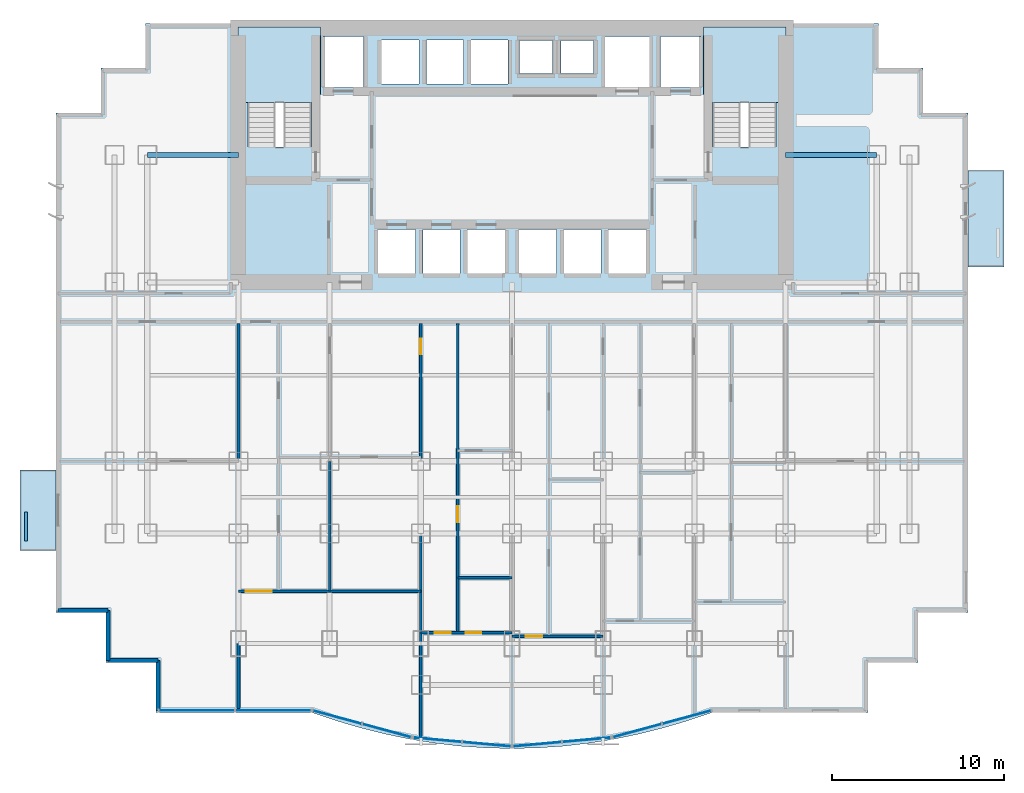
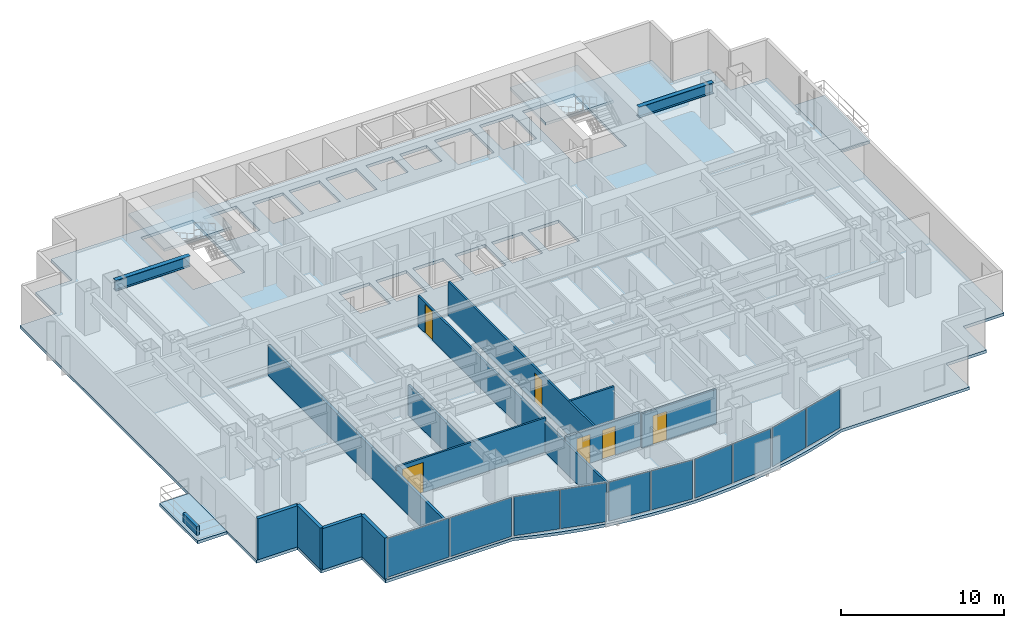
# One storey, part 4 of 10: 13 walls, 10 plates, 6 doors, 5 slabs, 2 beams, 6 openings, 7 elements without a shape of their own.
"""IFC4 building model written with IfcOpenShell, lengths in metres."""

from ifc_helpers import new_model, si_unit, direction, frame, frame_2d, origin, origin_2d, place, context, subcontext, project, spatial, polyline, rectangle, i_section, outline, extrude, source, transform, mapped, material, layer, layer_set, material_profile, profile_set, type_object, element, fill, aggregate, save


model = new_model("IFC4")

# Units and contexts
model_context = context("Model", 3, precision=1e-05, world=origin(), true_north=direction((0.0, 1.0)))
body_context = subcontext(model_context, "Body", "Model", "MODEL_VIEW")
ifc_project = project(units=[si_unit("LENGTHUNIT", "METRE"), si_unit("AREAUNIT", "SQUARE_METRE"), si_unit("VOLUMEUNIT", "CUBIC_METRE"), si_unit("PLANEANGLEUNIT", "RADIAN"), si_unit("MASSUNIT", "GRAM", prefix="KILO")], contexts=[model_context])

# Site, building, storey
site_placement = place(None, origin())
site = spatial("IfcSite", under=ifc_project, at=site_placement, CompositionType="ELEMENT")
building_placement = place(site_placement, origin())
building = spatial("IfcBuilding", under=site, at=building_placement, Name="Qianlan Lanfeng Residences", CompositionType="ELEMENT")
storey_placement = place(building_placement, frame((0.0, 0.0, 60.5)))
storey = spatial("IfcBuildingStorey", under=building, at=storey_placement, Name="L16", CompositionType="ELEMENT", Elevation=60.5)

# Beams
ifc_material_1 = material(Name="Steel SN490B", Category="steel")
ifc_material_profile = material_profile(ifc_material_1, i_section(OverallWidth=0.300048828125, OverallDepth=0.800048828125, WebThickness=0.01611328125, FlangeThickness=0.028076171875, at=origin_2d()), Name="H 800x300x16x28")
ifc_profile_set = profile_set([ifc_material_profile], Name="Steel SN490B")
beam_type = type_object("IfcBeamType", Name="G-950", PredefinedType="BEAM", material=ifc_profile_set)
for number, where, z_axis, x_axis, name in (
    (1, (5.300048828125, 32.60009765625, 2.679931640625), (1.0, 0.0, 0.0), (0.0, 1.0, 0.0), "Structural beam G-950"),
    (2, (42.39990234375, 32.60009765625, 2.679931640625), (1.0, 0.0, 0.0), (0.0, 1.0, 0.0), "Structural beam G-950"),
):
    element("IfcBeam", number, at=place(storey_placement, frame(where, z_axis=z_axis, x_axis=x_axis)), inside=storey, type_object=beam_type, Name=name, PredefinedType="BEAM", context=body_context, shape_type="SweptSolid", body=[
        extrude(i_section(OverallWidth=0.300048828125, OverallDepth=0.800048828125, WebThickness=0.01611328125, FlangeThickness=0.028076171875, at=origin_2d()), origin(), (0.0, 0.0, 1.0), 5.300048828125),
    ])

# Slabs
ifc_material_2 = material(Name="Concrete C42", Category="concrete")
ifc_layer_1 = layer(ifc_material_2, 0.219970703125)
ifc_layer_set_1 = layer_set([ifc_layer_1], Name="Concrete C42")
slab_type_1 = type_object("IfcSlabType", Name="S-BAL-220", PredefinedType="FLOOR", material=ifc_layer_set_1)
slab_1_placement = place(storey_placement, frame((0.0, 0.0, -0.219970703125)))
element("IfcSlab", 3, at=slab_1_placement, inside=storey, type_object=slab_type_1, Name="L16 Planted Tree Balcony Slab WB-S", PredefinedType="FLOOR", context=body_context, shape_type="SweptSolid", body=[
    extrude(outline(polyline([(0.0, 9.60009765625), (0.0, 14.300048828125), (-2.10009765625, 14.300048828125), (-2.10009765625, 9.60009765625), (0.0, 9.60009765625)])), origin(), (0.0, 0.0, 1.0), 0.219970703125),
])
slab_2_placement = place(storey_placement, frame((0.0, 0.0, -0.219970703125)))
element("IfcSlab", 4, at=slab_2_placement, inside=storey, type_object=slab_type_1, Name="L16 Planted Tree Balcony Slab EB-N", PredefinedType="FLOOR", context=body_context, shape_type="SweptSolid", body=[
    extrude(outline(polyline([(53.0, 31.699951171875), (53.0, 26.10009765625), (55.10009765625, 26.10009765625), (55.10009765625, 31.699951171875), (53.0, 31.699951171875)])), origin(), (0.0, 0.0, 1.0), 0.219970703125),
])
ifc_layer_2 = layer(ifc_material_2, 0.219970703125)
ifc_layer_set_2 = layer_set([ifc_layer_2], Name="Concrete C42")
slab_type_2 = type_object("IfcSlabType", Name="S-FL-220", PredefinedType="FLOOR", material=ifc_layer_set_2)
slab_3_placement = place(storey_placement, frame((0.0, 0.0, -0.219970703125)))
element("IfcSlab", 5, at=slab_3_placement, inside=storey, type_object=slab_type_2, Name="L16 Structural Floor Slab", PredefinedType="FLOOR", context=body_context, shape_type="SweptSolid", body=[
    extrude(outline(polyline([(0.0, 6.0), (2.89990234375, 6.0), (2.89990234375, 3.10009765625), (5.800048828125, 3.10009765625), (5.800048828125, 0.199951171875), (14.85009765625, 0.199951171875), (16.305908203125, -0.2919921875), (17.761962890625, -0.718994140625), (19.218994140625, -1.080078125), (20.675048828125, -1.375), (22.131103515625, -1.60498046875), (23.5869140625, -1.76904296875), (25.0439453125, -1.866943359375), (26.5, -1.89990234375), (27.9560546875, -1.866943359375), (29.412109375, -1.76904296875), (30.868896484375, -1.60498046875), (32.324951171875, -1.375), (33.781005859375, -1.080078125), (35.237060546875, -0.718994140625), (36.694091796875, -0.2919921875), (38.14990234375, 0.199951171875), (47.199951171875, 0.199951171875), (47.199951171875, 3.10009765625), (50.10009765625, 3.10009765625), (50.10009765625, 6.0), (53.0, 6.0), (53.0, 35.050048828125), (50.39990234375, 35.050048828125), (50.39990234375, 37.64990234375), (47.800048828125, 37.64990234375), (47.800048828125, 40.25), (5.199951171875, 40.25), (5.199951171875, 37.64990234375), (2.60009765625, 37.64990234375), (2.60009765625, 35.050048828125), (0.0, 35.050048828125), (0.0, 6.0)]), holes=[polyline([(11.139892578125, 33.080078125), (11.139892578125, 39.5), (14.820068359375, 39.5), (14.820068359375, 33.080078125), (11.139892578125, 33.080078125)]), polyline([(38.179931640625, 33.080078125), (38.179931640625, 39.5), (41.860107421875, 39.5), (41.860107421875, 33.080078125), (38.179931640625, 33.080078125)]), polyline([(15.52001953125, 36.52001953125), (15.52001953125, 39.47998046875), (17.8798828125, 39.47998046875), (17.8798828125, 36.52001953125), (15.52001953125, 36.52001953125)]), polyline([(35.1201171875, 36.52001953125), (35.1201171875, 39.47998046875), (37.47998046875, 39.47998046875), (37.47998046875, 36.52001953125), (35.1201171875, 36.52001953125)]), polyline([(31.919921875, 36.52001953125), (31.919921875, 39.47998046875), (34.47998046875, 39.47998046875), (34.47998046875, 36.52001953125), (31.919921875, 36.52001953125)]), polyline([(18.719970703125, 25.719970703125), (18.719970703125, 28.280029296875), (20.8798828125, 28.280029296875), (20.8798828125, 25.719970703125), (18.719970703125, 25.719970703125)]), polyline([(21.320068359375, 25.719970703125), (21.320068359375, 28.280029296875), (23.47998046875, 28.280029296875), (23.47998046875, 25.719970703125), (21.320068359375, 25.719970703125)]), polyline([(23.919921875, 25.719970703125), (23.919921875, 28.280029296875), (26.080078125, 28.280029296875), (26.080078125, 25.719970703125), (23.919921875, 25.719970703125)]), polyline([(26.919921875, 25.719970703125), (26.919921875, 28.280029296875), (29.080078125, 28.280029296875), (29.080078125, 25.719970703125), (26.919921875, 25.719970703125)]), polyline([(29.52001953125, 25.719970703125), (29.52001953125, 28.280029296875), (31.679931640625, 28.280029296875), (31.679931640625, 25.719970703125), (29.52001953125, 25.719970703125)]), polyline([(32.1201171875, 25.719970703125), (32.1201171875, 28.280029296875), (34.280029296875, 28.280029296875), (34.280029296875, 25.719970703125), (32.1201171875, 25.719970703125)]), polyline([(18.919921875, 36.719970703125), (18.919921875, 39.280029296875), (21.080078125, 39.280029296875), (21.080078125, 36.719970703125), (18.919921875, 36.719970703125)]), polyline([(21.52001953125, 36.719970703125), (21.52001953125, 39.280029296875), (23.679931640625, 39.280029296875), (23.679931640625, 36.719970703125), (21.52001953125, 36.719970703125)]), polyline([(24.1201171875, 36.719970703125), (24.1201171875, 39.280029296875), (26.280029296875, 39.280029296875), (26.280029296875, 36.719970703125), (24.1201171875, 36.719970703125)]), polyline([(26.949951171875, 37.35009765625), (26.949951171875, 39.25), (28.85009765625, 39.25), (28.85009765625, 37.35009765625), (26.949951171875, 37.35009765625)]), polyline([(29.35009765625, 37.35009765625), (29.35009765625, 39.25), (31.25, 39.25), (31.25, 37.35009765625), (29.35009765625, 37.35009765625)])]), origin(), (0.0, 0.0, 1.0), 0.219970703125),
])

# Stair, slab
stair_type = type_object("IfcStairType", Name="STR-MAIN", PredefinedType="HALF_TURN_STAIR", material=ifc_material_2)
stair_1_placement = place(storey_placement, origin())
stair_1 = element("IfcStair", 6, at=stair_1_placement, inside=storey, type_object=stair_type, Name="L16 Exit Stair ST-1", PredefinedType="HALF_TURN_STAIR")
ifc_layer_3 = layer(ifc_material_2, 0.179931640625)
ifc_layer_set_3 = layer_set([ifc_layer_3], Name="Concrete C42")
slab_type_3 = type_object("IfcSlabType", Name="S-LND-180", PredefinedType="LANDING", material=ifc_layer_set_3)
slab_4_placement = place(storey_placement, frame((0.0, 0.0, 1.449951171875)))
slab_4 = element("IfcSlab", 7, at=slab_4_placement, type_object=slab_type_3, Name="ST-1 landing 1", PredefinedType="LANDING", context=body_context, shape_type="SweptSolid", body=[
    extrude(outline(polyline([(10.580078125, 35.659912109375), (15.3798828125, 35.659912109375), (15.3798828125, 40.050048828125), (10.580078125, 40.050048828125), (10.580078125, 35.659912109375)])), origin(), (0.0, 0.0, 1.0), 0.199951171875),
])
aggregate(stair_1, [slab_4])

stair_2_placement = place(storey_placement, origin())
stair_2 = element("IfcStair", 8, at=stair_2_placement, inside=storey, type_object=stair_type, Name="L16 Exit Stair ST-2", PredefinedType="HALF_TURN_STAIR")
slab_5_placement = place(storey_placement, frame((0.0, 0.0, 1.449951171875)))
slab_5 = element("IfcSlab", 9, at=slab_5_placement, type_object=slab_type_3, Name="ST-2 landing 1", PredefinedType="LANDING", context=body_context, shape_type="SweptSolid", body=[
    extrude(outline(polyline([(37.6201171875, 35.659912109375), (42.419921875, 35.659912109375), (42.419921875, 40.050048828125), (37.6201171875, 40.050048828125), (37.6201171875, 35.659912109375)])), origin(), (0.0, 0.0, 1.0), 0.199951171875),
])
aggregate(stair_2, [slab_5])

# Curtain wall, plate
ifc_material_3 = material(Name="Anodised Bronze Aluminium 6063-T6", Category="aluminium")
ifc_layer_4 = layer(ifc_material_3, 0.219970703125)
ifc_layer_set_4 = layer_set([ifc_layer_4], Name="Anodised Bronze Aluminium 6063-T6")
curtain_wall_type = type_object("IfcCurtainWallType", Name="CW-02", PredefinedType="NOTDEFINED", material=ifc_layer_set_4)
curtain_wall_1_placement = place(storey_placement, origin())
curtain_wall_1 = element("IfcCurtainWall", 10, at=curtain_wall_1_placement, inside=storey, type_object=curtain_wall_type, Name="L16 Unitised Curtain Wall CWR-L16-02 (CW-02)", PredefinedType="NOTDEFINED")
ifc_material_4 = material(Name="Dark Bronze Tinted Insulated Glass", Category="glass")
ifc_layer_5 = layer(ifc_material_4, 0.0380859375)
ifc_layer_set_5 = layer_set([ifc_layer_5], Name="Dark Bronze Tinted Insulated Glass")
plate_type_1 = type_object("IfcPlateType", Name="PNL-GLZ-BRZ", PredefinedType="CURTAIN_PANEL", material=ifc_layer_set_5)
shared_shape_1 = source(origin(), body_context, "Body", "SweptSolid", [
    extrude(rectangle(XDim=2.89990234375, YDim=0.0380859375, at=origin_2d()), origin(), (0.0, 0.0, 1.0), 2.922119140625),
])
plate_1_placement = place(storey_placement, frame((16.345703125, -0.07958984375, 0.0791015625), z_axis=(0.0, 0.0, 1.0), x_axis=(0.9652627173, -0.261281240412, 0.0)))
plate_1 = element("IfcPlate", 11, at=plate_1_placement, type_object=plate_type_1, Name="CWR-L16-02 Curtain Panel 1", PredefinedType="CURTAIN_PANEL", context=body_context, shape_type="MappedRepresentation", body=[
    mapped(shared_shape_1, transform((0.0, 0.0, 0.0), scale=1.0)),
])

# Curtain wall, plates
curtain_wall_2_placement = place(storey_placement, origin())
curtain_wall_2 = element("IfcCurtainWall", 12, at=curtain_wall_2_placement, inside=storey, type_object=curtain_wall_type, Name="L16 Unitised Curtain Wall CWR-L16-05 (CW-02)", PredefinedType="NOTDEFINED")
plate_2_placement = place(storey_placement, frame((33.77978515625, -0.857421875, 0.0791015625), z_axis=(0.0, 0.0, 1.0), x_axis=(0.9652627173, 0.261281240412, 0.0)))
plate_2 = element("IfcPlate", 13, at=plate_2_placement, type_object=plate_type_1, Name="CWR-L16-05 Curtain Panel 1", PredefinedType="CURTAIN_PANEL", context=body_context, shape_type="MappedRepresentation", body=[
    mapped(shared_shape_1, transform((0.0, 0.0, 0.0), scale=1.0)),
])
plate_3_placement = place(storey_placement, frame((36.654296875, -0.07958984375, 0.0791015625), z_axis=(0.0, 0.0, 1.0), x_axis=(0.9652627173, 0.261281240412, 0.0)))
plate_3 = element("IfcPlate", 14, at=plate_3_placement, type_object=plate_type_1, Name="CWR-L16-05 Curtain Panel 2", PredefinedType="CURTAIN_PANEL", context=body_context, shape_type="MappedRepresentation", body=[
    mapped(shared_shape_1, transform((0.0, 0.0, 0.0), scale=1.0)),
])
aggregate(curtain_wall_2, [plate_2, plate_3])

# Curtain wall, plate
curtain_wall_3_placement = place(storey_placement, origin())
curtain_wall_3 = element("IfcCurtainWall", 15, at=curtain_wall_3_placement, inside=storey, type_object=curtain_wall_type, Name="L16 Unitised Curtain Wall CWR-L16-03 (CW-02)", PredefinedType="NOTDEFINED")
shared_shape_2 = source(origin(), body_context, "Body", "SweptSolid", [
    extrude(rectangle(XDim=2.7958984375, YDim=0.0380859375, at=origin_2d()), origin(), (0.0, 0.0, 1.0), 2.922119140625),
])
plate_4_placement = place(storey_placement, frame((22.1669921875, -1.389404296875, 0.0791015625), z_axis=(0.0, 0.0, 1.0), x_axis=(0.995964677764, -0.089746089862, 0.0)))
plate_4 = element("IfcPlate", 16, at=plate_4_placement, type_object=plate_type_1, Name="CWR-L16-03 Curtain Panel 1", PredefinedType="CURTAIN_PANEL", context=body_context, shape_type="MappedRepresentation", body=[
    mapped(shared_shape_2, transform((0.0, 0.0, 0.0), scale=1.0)),
])

curtain_wall_4_placement = place(storey_placement, origin())
curtain_wall_4 = element("IfcCurtainWall", 17, at=curtain_wall_4_placement, inside=storey, type_object=curtain_wall_type, Name="L16 Unitised Curtain Wall CWR-L16-04 (CW-02)", PredefinedType="NOTDEFINED")
plate_5_placement = place(storey_placement, frame((27.970947265625, -1.6474609375, 0.0791015625), z_axis=(0.0, 0.0, 1.0), x_axis=(0.995964677764, 0.089746089862, 0.0)))
plate_5 = element("IfcPlate", 18, at=plate_5_placement, type_object=plate_type_1, Name="CWR-L16-04 Curtain Panel 1", PredefinedType="CURTAIN_PANEL", context=body_context, shape_type="MappedRepresentation", body=[
    mapped(shared_shape_2, transform((0.0, 0.0, 0.0), scale=1.0)),
])

# Plate
shared_shape_3 = source(origin(), body_context, "Body", "SweptSolid", [
    extrude(rectangle(XDim=2.795654296875, YDim=0.0380859375, at=origin_2d()), origin(), (0.0, 0.0, 1.0), 2.922119140625),
])
plate_6_placement = place(storey_placement, frame((25.029052734375, -1.6474609375, 0.0791015625), z_axis=(0.0, 0.0, 1.0), x_axis=(0.995964677764, -0.089746089862, 0.0)))
plate_6 = element("IfcPlate", 19, at=plate_6_placement, type_object=plate_type_1, Name="CWR-L16-03 Curtain Panel 2", PredefinedType="CURTAIN_PANEL", context=body_context, shape_type="MappedRepresentation", body=[
    mapped(shared_shape_3, transform((0.0, 0.0, 0.0), scale=1.0)),
])

aggregate(curtain_wall_3, [plate_4, plate_6])

# Curtain wall, plates
curtain_wall_5_placement = place(storey_placement, origin())
curtain_wall_5 = element("IfcCurtainWall", 20, at=curtain_wall_5_placement, inside=storey, type_object=curtain_wall_type, Name="L16 Unitised Curtain Wall CWR-L16-01 (CW-02)", PredefinedType="NOTDEFINED")
shared_shape_4 = source(origin(), body_context, "Body", "SweptSolid", [
    extrude(rectangle(XDim=4.35693359375, YDim=0.0380859375, at=origin_2d()), origin(), (0.0, 0.0, 1.0), 2.922119140625),
])
plate_7_placement = place(storey_placement, frame((8.177490234375, 0.320068359375, 0.0791015625), z_axis=(0.0, 0.0, 1.0), x_axis=(1.0, 0.0, 0.0)))
plate_7 = element("IfcPlate", 21, at=plate_7_placement, type_object=plate_type_1, Name="CWR-L16-01 Curtain Panel 1", PredefinedType="CURTAIN_PANEL", context=body_context, shape_type="MappedRepresentation", body=[
    mapped(shared_shape_4, transform((0.0, 0.0, 0.0), scale=1.0)),
])
plate_8_placement = place(storey_placement, frame((12.612548828125, 0.320068359375, 0.0791015625), z_axis=(0.0, 0.0, 1.0), x_axis=(1.0, 0.0, 0.0)))
plate_8 = element("IfcPlate", 22, at=plate_8_placement, type_object=plate_type_1, Name="CWR-L16-01 Curtain Panel 2", PredefinedType="CURTAIN_PANEL", context=body_context, shape_type="MappedRepresentation", body=[
    mapped(shared_shape_4, transform((0.0, 0.0, 0.0), scale=1.0)),
])
aggregate(curtain_wall_5, [plate_7, plate_8])

# Plate
ifc_material_5 = material(Name="Perforated Champagne Gold Aluminium Panel", Category="aluminium")
ifc_layer_6 = layer(ifc_material_5, 0.0400390625)
ifc_layer_set_6 = layer_set([ifc_layer_6], Name="Perforated Champagne Gold Aluminium Panel")
plate_type_2 = type_object("IfcPlateType", Name="PNL-PRF-GLD", PredefinedType="CURTAIN_PANEL", material=ifc_layer_set_6)
shared_shape_5 = source(origin(), body_context, "Body", "SweptSolid", [
    extrude(rectangle(XDim=2.89990234375, YDim=0.0400390625, at=origin_2d()), origin(), (0.0, 0.0, 1.0), 2.922119140625),
])
plate_9_placement = place(storey_placement, frame((19.22021484375, -0.857421875, 0.0791015625), z_axis=(0.0, 0.0, 1.0), x_axis=(0.9652627173, -0.261281240412, 0.0)))
plate_9 = element("IfcPlate", 23, at=plate_9_placement, type_object=plate_type_2, Name="CWR-L16-02 Curtain Panel 2", PredefinedType="CURTAIN_PANEL", context=body_context, shape_type="MappedRepresentation", body=[
    mapped(shared_shape_5, transform((0.0, 0.0, 0.0), scale=1.0)),
])

aggregate(curtain_wall_1, [plate_1, plate_9])

shared_shape_6 = source(origin(), body_context, "Body", "SweptSolid", [
    extrude(rectangle(XDim=2.795654296875, YDim=0.0400390625, at=origin_2d()), origin(), (0.0, 0.0, 1.0), 2.922119140625),
])
plate_10_placement = place(storey_placement, frame((30.8330078125, -1.389404296875, 0.0791015625), z_axis=(0.0, 0.0, 1.0), x_axis=(0.995964677764, 0.089746089862, 0.0)))
plate_10 = element("IfcPlate", 24, at=plate_10_placement, type_object=plate_type_2, Name="CWR-L16-04 Curtain Panel 2", PredefinedType="CURTAIN_PANEL", context=body_context, shape_type="MappedRepresentation", body=[
    mapped(shared_shape_6, transform((0.0, 0.0, 0.0), scale=1.0)),
])

aggregate(curtain_wall_4, [plate_5, plate_10])

# Walls
ifc_layer_7 = layer(ifc_material_2, 0.239990234375)
ifc_layer_set_7 = layer_set([ifc_layer_7], Name="Concrete C42")
wall_type_1 = type_object("IfcWallType", Name="EW-240", PredefinedType="SOLIDWALL", material=ifc_layer_set_7)
wall_1_placement = place(storey_placement, frame((0.1201171875, 6.1201171875, 0.0), z_axis=(0.0, 0.0, 1.0), x_axis=(1.0, 0.0, 0.0)))
element("IfcWall", 25, at=wall_1_placement, inside=storey, type_object=wall_type_1, Name="L16 Exterior Facade Spandrel Wall 1", PredefinedType="SOLIDWALL", context=body_context, shape_type="SweptSolid", body=[
    extrude(rectangle(XDim=2.89990234375, YDim=0.239990234375, at=frame_2d((1.449951171875, 0.0))), origin(), (0.0, 0.0, 1.0), 3.080078125),
])
wall_2_placement = place(storey_placement, frame((3.02001953125, 6.1201171875, 0.0), z_axis=(0.0, 0.0, 1.0), x_axis=(0.0, -1.0, 0.0)))
element("IfcWall", 26, at=wall_2_placement, inside=storey, type_object=wall_type_1, Name="L16 Exterior Facade Spandrel Wall 2", PredefinedType="SOLIDWALL", context=body_context, shape_type="SweptSolid", body=[
    extrude(rectangle(XDim=2.900146484375, YDim=0.239990234375, at=frame_2d((1.4501953125, 0.0))), origin(), (0.0, 0.0, 1.0), 3.080078125),
])
for number, where, z_axis, x_axis, name in (
    (27, (3.02001953125, 3.219970703125, 0.0), (0.0, 0.0, 1.0), (1.0, 0.0, 0.0), "L16 Exterior Facade Spandrel Wall 3"),
    (28, (5.919921875, 3.219970703125, 0.0), (0.0, 0.0, 1.0), (0.0, -1.0, 0.0), "L16 Exterior Facade Spandrel Wall 4"),
):
    element("IfcWall", number, at=place(storey_placement, frame(where, z_axis=z_axis, x_axis=x_axis)), inside=storey, type_object=wall_type_1, Name=name, PredefinedType="SOLIDWALL", context=body_context, shape_type="SweptSolid", body=[
        extrude(rectangle(XDim=2.89990234375, YDim=0.239990234375, at=frame_2d((1.449951171875, 0.0))), origin(), (0.0, 0.0, 1.0), 3.080078125),
    ])
ifc_layer_8 = layer(ifc_material_2, 0.199951171875)
ifc_layer_set_8 = layer_set([ifc_layer_8], Name="Concrete C42")
wall_type_2 = type_object("IfcWallType", Name="PL-TREE-200", PredefinedType="PARAPET", material=ifc_layer_set_8)
wall_3_placement = place(storey_placement, frame((-1.75, 10.14990234375, 0.0), z_axis=(0.0, 0.0, 1.0), x_axis=(0.0, 1.0, 0.0)))
element("IfcWall", 29, at=wall_3_placement, inside=storey, type_object=wall_type_2, Name="L16 West Tree Planter Curb WB-S", PredefinedType="PARAPET", context=body_context, shape_type="SweptSolid", body=[
    extrude(rectangle(XDim=1.7001953125, YDim=0.199951171875, at=frame_2d((0.85009765625, 0.0))), origin(), (0.0, 0.0, 1.0), 0.64990234375),
])

# Wall, opening, door
ifc_material_6 = material(Name="Moisture-Resistant Gypsum Partition 135 mm")
ifc_layer_9 = layer(ifc_material_6, 0.135009765625)
ifc_layer_set_9 = layer_set([ifc_layer_9], Name="Moisture-Resistant Gypsum Partition 135 mm")
wall_type_3 = type_object("IfcWallType", Name="PW-135", PredefinedType="PARTITIONING", material=ifc_layer_set_9)
wall_4_placement = place(storey_placement, frame((21.199951171875, -1.235107421875, 0.0), z_axis=(0.0, 0.0, 1.0), x_axis=(0.0, 1.0, 0.0)))
wall_4 = element("IfcWall", 30, at=wall_4_placement, inside=storey, type_object=wall_type_3, Name="L16 U01 Bay Spine Wall 2", PredefinedType="PARTITIONING", context=body_context, shape_type="SweptSolid", body=[
    extrude(rectangle(XDim=24.03515625, YDim=0.135009765625, at=frame_2d((12.017578125, 0.0))), origin(), (0.0, 0.0, 1.0), 2.27490234375),
])
opening_1_placement = place(wall_4_placement, frame((22.25, 0.0, 0.0)))
opening_1 = element("IfcOpeningElement", 31, at=opening_1_placement, cuts=wall_4, Name="Opening L16-D15", PredefinedType="OPENING", context=body_context, shape_type="SweptSolid", body=[
    extrude(rectangle(XDim=0.919921875, YDim=2.14990234375, at=frame_2d((0.4599609375, 1.074951171875))), frame((0.0, 0.07763671875, 0.0), z_axis=(0.0, -1.0, 0.0), x_axis=(1.0, 0.0, 0.0)), (0.0, 0.0, 1.0), 0.155029296875),
])
ifc_material_7 = material(Name="Glazed Timber Kitchen/Study Door", Category="wood")
door_type_1 = type_object("IfcDoorType", Name="DT-INT", OperationType="NOTDEFINED", PredefinedType="DOOR", material=ifc_material_7)
door_1_placement = place(opening_1_placement, origin())
door_1 = element("IfcDoor", 32, at=door_1_placement, inside=storey, type_object=door_type_1, Name="L16 U01 Internal Hall Door L16-D15 (DT-INT)", OperationType="SINGLE_SWING_LEFT", OverallHeight=2.14990234375, OverallWidth=0.919921875, PredefinedType="DOOR", context=body_context, shape_type="SweptSolid", body=[
    extrude(rectangle(XDim=0.919921875, YDim=2.14990234375, at=frame_2d((0.4599609375, 1.074951171875))), frame((0.0, 0.02490234375, 0.0), z_axis=(0.0, -1.0, 0.0), x_axis=(1.0, 0.0, 0.0)), (0.0, 0.0, 1.0), 0.050048828125),
])
fill(opening_1, door_1)

# Wall
wall_5_placement = place(storey_placement, frame((15.89990234375, 7.2470703125, 0.0), z_axis=(0.0, 0.0, 1.0), x_axis=(0.0, 1.0, 0.0)))
element("IfcWall", 33, at=wall_5_placement, inside=storey, type_object=wall_type_3, Name="L16 U01 Mid Column Wall", PredefinedType="PARTITIONING", context=body_context, shape_type="SweptSolid", body=[
    extrude(rectangle(XDim=7.552978515625, YDim=0.135009765625, at=frame_2d((3.7763671875, 0.0))), origin(), (0.0, 0.0, 1.0), 2.27490234375),
])

# Wall, opening, door
wall_6_placement = place(storey_placement, frame((10.60009765625, 7.2470703125, 0.0), z_axis=(0.0, 0.0, 1.0), x_axis=(1.0, 0.0, 0.0)))
wall_6 = element("IfcWall", 34, at=wall_6_placement, inside=storey, type_object=wall_type_3, Name="L16 U01 Grand Living North Wall", PredefinedType="PARTITIONING", context=body_context, shape_type="SweptSolid", body=[
    extrude(rectangle(XDim=10.599853515625, YDim=0.135009765625, at=frame_2d((5.2998046875, 0.0))), origin(), (0.0, 0.0, 1.0), 2.570068359375),
])
opening_2_placement = place(wall_6_placement, frame((0.425048828125, 0.0, 0.0)))
opening_2 = element("IfcOpeningElement", 35, at=opening_2_placement, cuts=wall_6, Name="Opening L16-D19", PredefinedType="OPENING", context=body_context, shape_type="SweptSolid", body=[
    extrude(rectangle(XDim=1.5, YDim=2.25, at=frame_2d((0.75, 1.125))), frame((0.0, 0.07763671875, 0.0), z_axis=(0.0, -1.0, 0.0), x_axis=(1.0, 0.0, 0.0)), (0.0, 0.0, 1.0), 0.155029296875),
])
ifc_material_8 = material(Name="Timber Veneer Acoustic Fire Door", Category="wood")
door_type_2 = type_object("IfcDoorType", Name="DT-COR1", OperationType="NOTDEFINED", PredefinedType="DOOR", material=ifc_material_8)
door_2_placement = place(opening_2_placement, origin())
door_2 = element("IfcDoor", 36, at=door_2_placement, inside=storey, type_object=door_type_2, Name="L16 U01 Grand Living Door L16-D19 (DT-COR1)", OperationType="DOUBLE_DOOR_SINGLE_SWING", OverallHeight=2.25, OverallWidth=1.5, PredefinedType="DOOR", context=body_context, shape_type="SweptSolid", body=[
    extrude(rectangle(XDim=1.5, YDim=2.25, at=frame_2d((0.75, 1.125))), frame((0.0, 0.02490234375, 0.0), z_axis=(0.0, -1.0, 0.0), x_axis=(1.0, 0.0, 0.0)), (0.0, 0.0, 1.0), 0.050048828125),
])
fill(opening_2, door_2)

# Wall, openings, doors
wall_7_placement = place(storey_placement, frame((21.199951171875, 4.833984375, 0.0), z_axis=(0.0, 0.0, 1.0), x_axis=(1.0, 0.0, 0.0)))
wall_7 = element("IfcWall", 37, at=wall_7_placement, inside=storey, type_object=wall_type_3, Name="L16 U01 Master Bedroom North Wall", PredefinedType="PARTITIONING", context=body_context, shape_type="SweptSolid", body=[
    extrude(rectangle(XDim=5.300048828125, YDim=0.135009765625, at=frame_2d((2.64990234375, 0.0))), origin(), (0.0, 0.0, 1.0), 2.570068359375),
])
opening_3_placement = place(wall_7_placement, frame((0.800048828125, 0.0, 0.0)))
opening_3 = element("IfcOpeningElement", 38, at=opening_3_placement, cuts=wall_7, Name="Opening L16-D23", PredefinedType="OPENING", context=body_context, shape_type="SweptSolid", body=[
    extrude(rectangle(XDim=0.949951171875, YDim=2.14990234375, at=frame_2d((0.47509765625, 1.074951171875))), frame((0.0, 0.07763671875, 0.0), z_axis=(0.0, -1.0, 0.0), x_axis=(1.0, 0.0, 0.0)), (0.0, 0.0, 1.0), 0.155029296875),
])
opening_4_placement = place(wall_7_placement, frame((2.625, 0.0, 0.0)))
opening_4 = element("IfcOpeningElement", 39, at=opening_4_placement, cuts=wall_7, Name="Opening L16-D24", PredefinedType="OPENING", context=body_context, shape_type="SweptSolid", body=[
    extrude(rectangle(XDim=0.89990234375, YDim=2.14990234375, at=frame_2d((0.449951171875, 1.074951171875))), frame((0.0, 0.07763671875, 0.0), z_axis=(0.0, -1.0, 0.0), x_axis=(1.0, 0.0, 0.0)), (0.0, 0.0, 1.0), 0.155029296875),
])
ifc_material_9 = material(Name="Painted Solid-Core Timber Leaf", Category="wood")
door_type_3 = type_object("IfcDoorType", Name="DT-BED", OperationType="NOTDEFINED", PredefinedType="DOOR", material=ifc_material_9)
door_3_placement = place(opening_3_placement, origin())
door_3 = element("IfcDoor", 40, at=door_3_placement, inside=storey, type_object=door_type_3, Name="L16 U01 Master Bedroom Door L16-D23 (DT-BED)", OperationType="SINGLE_SWING_LEFT", OverallHeight=2.14990234375, OverallWidth=0.949951171875, PredefinedType="DOOR", context=body_context, shape_type="SweptSolid", body=[
    extrude(rectangle(XDim=0.949951171875, YDim=2.14990234375, at=frame_2d((0.47509765625, 1.074951171875))), frame((0.0, 0.02490234375, 0.0), z_axis=(0.0, -1.0, 0.0), x_axis=(1.0, 0.0, 0.0)), (0.0, 0.0, 1.0), 0.050048828125),
])
fill(opening_3, door_3)
ifc_material_10 = material(Name="Moisture-Resistant Timber Leaf", Category="wood")
door_type_4 = type_object("IfcDoorType", Name="DT-WC", OperationType="NOTDEFINED", PredefinedType="DOOR", material=ifc_material_10)
door_4_placement = place(opening_4_placement, origin())
door_4 = element("IfcDoor", 41, at=door_4_placement, inside=storey, type_object=door_type_4, Name="L16 U01 En-Suite Bathroom Door L16-D24 (DT-WC)", OperationType="SINGLE_SWING_RIGHT", OverallHeight=2.14990234375, OverallWidth=0.89990234375, PredefinedType="DOOR", context=body_context, shape_type="SweptSolid", body=[
    extrude(rectangle(XDim=0.89990234375, YDim=2.14990234375, at=frame_2d((0.449951171875, 1.074951171875))), frame((0.0, 0.02490234375, 0.0), z_axis=(0.0, -1.0, 0.0), x_axis=(1.0, 0.0, 0.0)), (0.0, 0.0, 1.0), 0.050048828125),
])
fill(opening_4, door_4)

# Wall, opening, door
wall_8_placement = place(storey_placement, frame((23.35009765625, 4.833984375, 0.0), z_axis=(0.0, 0.0, 1.0), x_axis=(0.0, 1.0, 0.0)))
wall_8 = element("IfcWall", 42, at=wall_8_placement, inside=storey, type_object=wall_type_3, Name="L16 U01 Master Passage Wall", PredefinedType="PARTITIONING", context=body_context, shape_type="SweptSolid", body=[
    extrude(rectangle(XDim=17.966064453125, YDim=0.135009765625, at=frame_2d((8.98291015625, 0.0))), origin(), (0.0, 0.0, 1.0), 2.570068359375),
])
opening_5_placement = place(wall_8_placement, frame((6.430908203125, 0.0, 0.0)))
opening_5 = element("IfcOpeningElement", 43, at=opening_5_placement, cuts=wall_8, Name="Opening L16-D25", PredefinedType="OPENING", context=body_context, shape_type="SweptSolid", body=[
    extrude(rectangle(XDim=0.919921875, YDim=2.14990234375, at=frame_2d((0.4599609375, 1.074951171875))), frame((0.0, 0.07763671875, 0.0), z_axis=(0.0, -1.0, 0.0), x_axis=(1.0, 0.0, 0.0)), (0.0, 0.0, 1.0), 0.155029296875),
])
door_5_placement = place(opening_5_placement, origin())
door_5 = element("IfcDoor", 44, at=door_5_placement, inside=storey, type_object=door_type_1, Name="L16 U01 Wardrobe Door L16-D25 (DT-INT)", OperationType="SINGLE_SWING_LEFT", OverallHeight=2.14990234375, OverallWidth=0.919921875, PredefinedType="DOOR", context=body_context, shape_type="SweptSolid", body=[
    extrude(rectangle(XDim=0.919921875, YDim=2.14990234375, at=frame_2d((0.4599609375, 1.074951171875))), frame((0.0, 0.02490234375, 0.0), z_axis=(0.0, -1.0, 0.0), x_axis=(1.0, 0.0, 0.0)), (0.0, 0.0, 1.0), 0.050048828125),
])
fill(opening_5, door_5)

# Wall
wall_9_placement = place(storey_placement, frame((23.35009765625, 8.033935546875, 0.0), z_axis=(0.0, 0.0, 1.0), x_axis=(1.0, 0.0, 0.0)))
element("IfcWall", 45, at=wall_9_placement, inside=storey, type_object=wall_type_3, Name="L16 U01 En-Suite North Wall", PredefinedType="PARTITIONING", context=body_context, shape_type="SweptSolid", body=[
    extrude(rectangle(XDim=3.14990234375, YDim=0.135009765625, at=frame_2d((1.574951171875, 0.0))), origin(), (0.0, 0.0, 1.0), 2.570068359375),
])

# Wall, opening, door
wall_10_placement = place(storey_placement, frame((26.5, 4.634033203125, 0.0), z_axis=(0.0, 0.0, 1.0), x_axis=(1.0, 0.0, 0.0)))
wall_10 = element("IfcWall", 46, at=wall_10_placement, inside=storey, type_object=wall_type_3, Name="L16 U01 Bedroom 3 North Wall", PredefinedType="PARTITIONING", context=body_context, shape_type="SweptSolid", body=[
    extrude(rectangle(XDim=5.300048828125, YDim=0.135009765625, at=frame_2d((2.64990234375, 0.0))), origin(), (0.0, 0.0, 1.0), 2.570068359375),
])
opening_6_placement = place(wall_10_placement, frame((0.800048828125, 0.0, 0.0)))
opening_6 = element("IfcOpeningElement", 47, at=opening_6_placement, cuts=wall_10, Name="Opening L16-D27", PredefinedType="OPENING", context=body_context, shape_type="SweptSolid", body=[
    extrude(rectangle(XDim=0.949951171875, YDim=2.14990234375, at=frame_2d((0.47509765625, 1.074951171875))), frame((0.0, 0.07763671875, 0.0), z_axis=(0.0, -1.0, 0.0), x_axis=(1.0, 0.0, 0.0)), (0.0, 0.0, 1.0), 0.155029296875),
])
door_6_placement = place(opening_6_placement, origin())
door_6 = element("IfcDoor", 48, at=door_6_placement, inside=storey, type_object=door_type_3, Name="L16 U01 Bedroom 3 Door L16-D27 (DT-BED)", OperationType="SINGLE_SWING_RIGHT", OverallHeight=2.14990234375, OverallWidth=0.949951171875, PredefinedType="DOOR", context=body_context, shape_type="SweptSolid", body=[
    extrude(rectangle(XDim=0.949951171875, YDim=2.14990234375, at=frame_2d((0.47509765625, 1.074951171875))), frame((0.0, 0.02490234375, 0.0), z_axis=(0.0, -1.0, 0.0), x_axis=(1.0, 0.0, 0.0)), (0.0, 0.0, 1.0), 0.050048828125),
])
fill(opening_6, door_6)

# Wall
ifc_material_11 = material(Name="Double-Layer Acoustic Gypsum Stud Wall 180 mm")
ifc_layer_10 = layer(ifc_material_11, 0.179931640625)
ifc_layer_set_10 = layer_set([ifc_layer_10], Name="Double-Layer Acoustic Gypsum Stud Wall 180 mm")
wall_type_4 = type_object("IfcWallType", Name="PW-180", PredefinedType="PARTITIONING", material=ifc_layer_set_10)
wall_11_placement = place(storey_placement, frame((10.60009765625, 0.419921875, 0.0), z_axis=(0.0, 0.0, 1.0), x_axis=(0.0, 1.0, 0.0)))
element("IfcWall", 49, at=wall_11_placement, inside=storey, type_object=wall_type_4, Name="L16 Wing Boundary Party Wall W0", PredefinedType="PARTITIONING", context=body_context, shape_type="SweptSolid", body=[
    extrude(rectangle(XDim=22.380126953125, YDim=0.179931640625, at=frame_2d((11.18994140625, 0.0))), origin(), (0.0, 0.0, 1.0), 2.27490234375),
])

save(model, "model.ifc")
